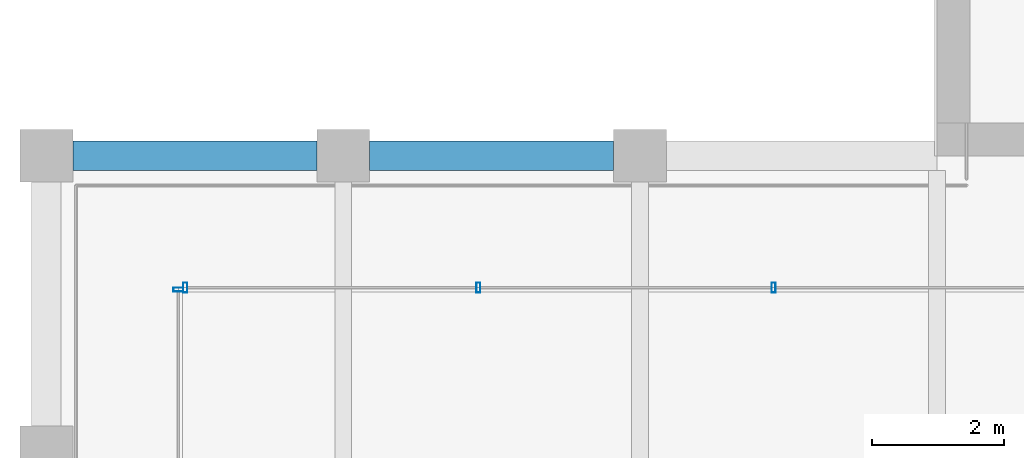
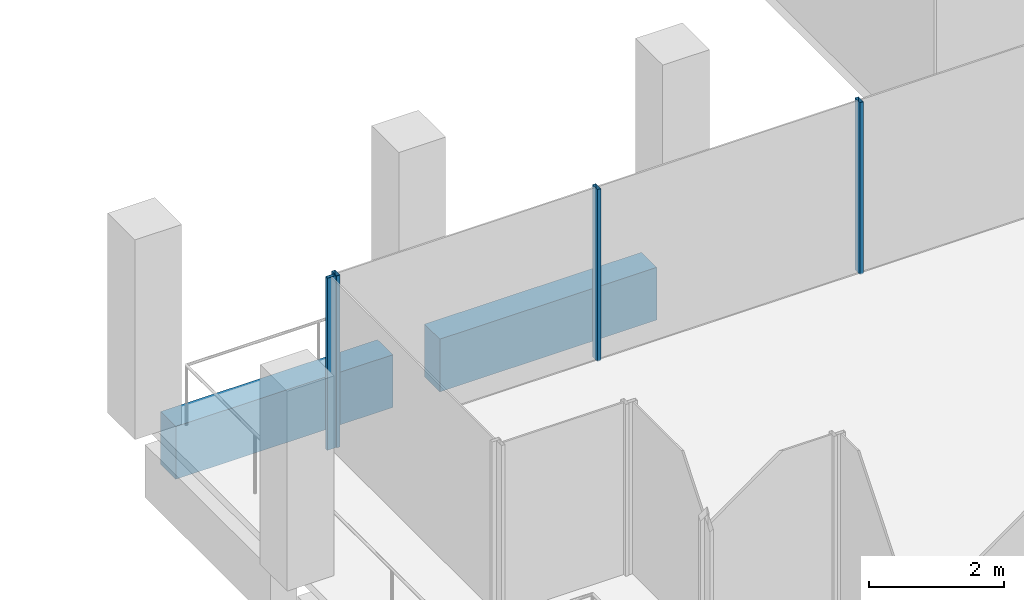
# One storey, part 5 of 30: 4 members, 2 beams, 2 elements without a shape of their own.
"""IFC4 building model written with IfcOpenShell, lengths in metres."""

import ifcopenshell
import ifcopenshell.guid

model = None  # the IFC model being written
_history = None  # IfcOwnerHistory: only IFC2X3 demands one
_inside = {}  # id of a spatial element -> (the spatial element, [elements in it])
_under = {}  # id of a project, library or spatial element -> (it, [spatial elements below it])
_declared = {}  # id of a project -> (the project, [libraries it declares])
_typed = {}  # id of a type object -> (the type object, [elements of that type])
_made_of = {}  # id of a material, layer set ... -> (it, [elements and type objects made of it])


def new_model(schema):
    """Start an empty IFC model of exactly this schema.

    Asked for "IFC4X3", IfcOpenShell would pick the latest addendum, in which some entities
    have other attributes; the version numbers below select the first issue.
    IFC2X3 requires an IfcOwnerHistory on every rooted entity: one is made here for all.
    """
    global model, _history
    if schema == "IFC4X3":
        model = ifcopenshell.file(schema_version=(4, 3, 0, 0))
    else:
        model = ifcopenshell.file(schema=schema)
    _inside.clear()
    _under.clear()
    _declared.clear()
    _typed.clear()
    _made_of.clear()
    _history = None
    if model.schema == "IFC2X3":
        org = make("IfcOrganization", Name="unknown")
        user = make(
            "IfcPersonAndOrganization",
            ThePerson=make("IfcPerson", FamilyName="unknown"),
            TheOrganization=org,
        )
        app = make(
            "IfcApplication",
            ApplicationDeveloper=org,
            Version="unknown",
            ApplicationFullName="unknown",
            ApplicationIdentifier="unknown",
        )
        _history = make(
            "IfcOwnerHistory",
            OwningUser=user,
            OwningApplication=app,
            ChangeAction="ADDED",
            CreationDate=0,
        )
    return model


def make(cls, **values):
    """One entity of the class cls with the attributes given. An attribute that is None is left unset."""
    return model.create_entity(
        cls, **{name: value for name, value in values.items() if value is not None}
    )


def rooted(cls, **values):
    """An entity with a GlobalId (a new one), such as an element, a storey or a relation."""
    return make(cls, GlobalId=ifcopenshell.guid.new(), OwnerHistory=_history, **values)


def si_unit(unit_type, name, prefix=None):
    """IfcSIUnit, for example si_unit("LENGTHUNIT", "METRE", prefix="MILLI")."""
    return make("IfcSIUnit", UnitType=unit_type, Prefix=prefix, Name=name)


def assignment(units):
    """IfcUnitAssignment: the units of a project."""
    return None if units is None else make("IfcUnitAssignment", Units=units)


def point(xyz):
    """IfcCartesianPoint."""
    return None if xyz is None else make("IfcCartesianPoint", Coordinates=xyz)


def direction(xyz):
    """IfcDirection."""
    return None if xyz is None else make("IfcDirection", DirectionRatios=xyz)


def frame(location, z_axis=None, x_axis=None):
    """IfcAxis2Placement3D, a coordinate frame: its origin and axes. An axis left out is left unset."""
    return make(
        "IfcAxis2Placement3D",
        Location=point(location),
        Axis=direction(z_axis),
        RefDirection=direction(x_axis),
    )


def frame_2d(location, x_axis=None):
    """IfcAxis2Placement2D, a coordinate frame in the plane: its origin and x axis."""
    return make(
        "IfcAxis2Placement2D", Location=point(location), RefDirection=direction(x_axis)
    )


def origin():
    """The frame at (0, 0, 0) with its axes left unset."""
    return frame((0.0, 0.0, 0.0))


def origin_2d():
    """The frame at (0, 0) in the plane with its x axis left unset."""
    return frame_2d((0.0, 0.0))


def place(relative_to, where):
    """IfcLocalPlacement: puts the frame where relative to a parent placement (None: the world)."""
    return make(
        "IfcLocalPlacement", PlacementRelTo=relative_to, RelativePlacement=where
    )


def context(
    kind, dimensions, precision=None, world=None, true_north=None, identifier=None
):
    """IfcGeometricRepresentationContext, for example the 3D "Model" context."""
    return make(
        "IfcGeometricRepresentationContext",
        ContextIdentifier=identifier,
        ContextType=kind,
        CoordinateSpaceDimension=dimensions,
        Precision=precision,
        WorldCoordinateSystem=world,
        TrueNorth=true_north,
    )


def subcontext(parent, identifier, kind, view, scale=None):
    """IfcGeometricRepresentationSubContext, for example "Body" below "Model"."""
    return make(
        "IfcGeometricRepresentationSubContext",
        ContextIdentifier=identifier,
        ContextType=kind,
        ParentContext=parent,
        TargetScale=scale,
        TargetView=view,
    )


def project(units=None, contexts=None):
    """IfcProject with its units and contexts."""
    return rooted(
        "IfcProject",
        Name="project",
        RepresentationContexts=contexts,
        UnitsInContext=assignment(units),
    )


def spatial(cls, under=None, at=None, **own):
    """A site, building, storey or space (cls), placed at a placement, below another one or the project."""
    s = rooted(cls, ObjectPlacement=at, **own)
    if under is not None:
        _under.setdefault(under.id(), (under, []))[1].append(s)
    return s


def profile(cls, at=None, kind="AREA", **sizes):
    """A parametric profile (cls). Its sizes go by their IFC names, for example OverallWidth=200.0."""
    return make(cls, ProfileType=kind, Position=at, **sizes)


def rectangle(**sizes):
    """IfcRectangleProfileDef."""
    return profile("IfcRectangleProfileDef", **sizes)


def hollow_rectangle(**sizes):
    """IfcRectangleHollowProfileDef."""
    return profile("IfcRectangleHollowProfileDef", **sizes)


def extrude(swept, where, along, depth):
    """IfcExtrudedAreaSolid: the profile swept, set in the frame where, extruded along a direction by depth."""
    return make(
        "IfcExtrudedAreaSolid",
        SweptArea=swept,
        Position=where,
        ExtrudedDirection=direction(along),
        Depth=depth,
    )


def shape(context_of_items, identifier, shape_type, items):
    """IfcShapeRepresentation: the items that make up one representation, for example the "Body"."""
    return make(
        "IfcShapeRepresentation",
        ContextOfItems=context_of_items,
        RepresentationIdentifier=identifier,
        RepresentationType=shape_type,
        Items=items,
    )


def material(Name=None, Category=None):
    """IfcMaterial."""
    return make("IfcMaterial", Name=Name, Category=Category)


def material_profile(
    of_material, cross_section, Name=None, Category=None, Priority=None
):
    """IfcMaterialProfile: a cross section and its material."""
    return make(
        "IfcMaterialProfile",
        Name=Name,
        Material=of_material,
        Profile=cross_section,
        Priority=Priority,
        Category=Category,
    )


def profile_set(profiles, Name=None, composite=None):
    """IfcMaterialProfileSet."""
    return make(
        "IfcMaterialProfileSet",
        Name=Name,
        MaterialProfiles=profiles,
        CompositeProfile=composite,
    )


def made_of(thing, what):
    """Note that an element or type object is made of a material, layer set ...; save() writes the relation."""
    if what is not None:
        _made_of.setdefault(what.id(), (what, []))[1].append(thing)
    return thing


def type_object(cls, material=None, **own):
    """A type object (cls), such as IfcWallType, which elements share."""
    return made_of(rooted(cls, **own), material)


def element(
    cls,
    number,
    at=None,
    inside=None,
    cuts=None,
    type_object=None,
    material=None,
    context=None,
    identifier="Body",
    shape_type=None,
    held_by="IfcProductDefinitionShape",
    body=None,
    shapes=None,
    **own,
):
    """One element of the class cls, such as IfcWall. Its Tag is "e" and its number.

    at: its placement. inside: the storey or other place that contains it. cuts: it is an
    opening in that element (IfcRelVoidsElement). A single representation is given by context,
    identifier, shape_type and body (its items); several are given by shapes. held_by: the class
    of the entity that holds the representations. save() writes the other relations.
    """
    e = rooted(cls, Tag="e%d" % number, ObjectPlacement=at, **own)
    if body is not None:
        shapes = [shape(context, identifier, shape_type, body)]
    if shapes is not None:
        e.Representation = make(held_by, Representations=shapes)
    if inside is not None:
        _inside.setdefault(inside.id(), (inside, []))[1].append(e)
    if cuts is not None:
        rooted(
            "IfcRelVoidsElement", RelatingBuildingElement=cuts, RelatedOpeningElement=e
        )
    if type_object is not None:
        _typed.setdefault(type_object.id(), (type_object, []))[1].append(e)
    return made_of(e, material)


def aggregate(whole, parts):
    """IfcRelAggregates: a whole, such as a stair, and the parts it consists of."""
    return rooted("IfcRelAggregates", RelatingObject=whole, RelatedObjects=parts)


def save(model, path):
    """Write the relations noted so far, then the file.

    IfcRelAggregates (storeys below a building ...), IfcRelContainedInSpatialStructure (elements
    in a storey), IfcRelDefinesByType, IfcRelAssociatesMaterial and IfcRelDeclares: one each for
    every whole, place, type object, material and project.
    """
    for whole, parts in _under.values():
        aggregate(whole, parts)
    for where, things in _inside.values():
        rooted(
            "IfcRelContainedInSpatialStructure",
            RelatedElements=things,
            RelatingStructure=where,
        )
    for kind, things in _typed.values():
        rooted("IfcRelDefinesByType", RelatedObjects=things, RelatingType=kind)
    for what, things in _made_of.values():
        rooted("IfcRelAssociatesMaterial", RelatedObjects=things, RelatingMaterial=what)
    for by, libraries in _declared.values():
        rooted("IfcRelDeclares", RelatingContext=by, RelatedDefinitions=libraries)
    model.write(path)


model = new_model("IFC4")

# Units and contexts
model_context = context("Model", 3, precision=1e-05, world=origin(), true_north=direction((0.0, 1.0)))
body_context = subcontext(model_context, "Body", "Model", "MODEL_VIEW")
ifc_project = project(units=[si_unit("LENGTHUNIT", "METRE"), si_unit("AREAUNIT", "SQUARE_METRE"), si_unit("VOLUMEUNIT", "CUBIC_METRE"), si_unit("PLANEANGLEUNIT", "RADIAN"), si_unit("MASSUNIT", "GRAM", prefix="KILO")], contexts=[model_context])

# Site, building, storey
site_placement = place(None, origin())
site = spatial("IfcSite", under=ifc_project, at=site_placement, CompositionType="ELEMENT")
building_placement = place(site_placement, origin())
building = spatial("IfcBuilding", under=site, at=building_placement, Name="Altepetl Exchange Towers", CompositionType="ELEMENT")
storey_placement = place(building_placement, frame((0.0, 0.0, 238.800048828125)))
storey = spatial("IfcBuildingStorey", under=building, at=storey_placement, Name="L61", CompositionType="ELEMENT", Elevation=238.800048828125)

# Curtain wall, members
ifc_material_1 = material(Name="Aluminium 6063-T6 glazing", Category="aluminium")
curtain_wall_type = type_object("IfcCurtainWallType", Name="Loggia glazing system", PredefinedType="NOTDEFINED", material=ifc_material_1)
curtain_wall_1_placement = place(storey_placement, origin())
curtain_wall_1 = element("IfcCurtainWall", 1, at=curtain_wall_1_placement, inside=storey, type_object=curtain_wall_type, Name="CW1 run", PredefinedType="NOTDEFINED")
ifc_material_2 = material(Name="Aluminium 6063-T6", Category="aluminium")
ifc_material_profile_1 = material_profile(ifc_material_2, hollow_rectangle(XDim=0.06005859375, YDim=0.14990234375, WallThickness=0.0029296875, at=origin_2d()), Name="Mullion 60x150 aluminium")
ifc_profile_set_1 = profile_set([ifc_material_profile_1], Name="Aluminium 6063-T6")
member_type = type_object("IfcMemberType", Name="Mullion 60x150 aluminium", PredefinedType="MULLION", material=ifc_profile_set_1)
member_1_placement = place(storey_placement, frame((38.02490234375, 38.5, 0.0), z_axis=(0.0, 0.0, 1.0), x_axis=(-1.0, 0.0, 0.0)))
member_1 = element("IfcMember", 2, at=member_1_placement, type_object=member_type, Name="MU1 mullion", PredefinedType="MULLION", context=body_context, shape_type="SweptSolid", body=[
    extrude(hollow_rectangle(XDim=0.06005859375, YDim=0.14990234375, WallThickness=0.0029296875, at=origin_2d()), origin(), (0.0, 0.0, 1.0), 3.099853515625),
])
member_2_placement = place(storey_placement, frame((33.550048828125, 38.5, 0.0), z_axis=(0.0, 0.0, 1.0), x_axis=(-1.0, 0.0, 0.0)))
member_2 = element("IfcMember", 3, at=member_2_placement, type_object=member_type, Name="MU1 mullion", PredefinedType="MULLION", context=body_context, shape_type="SweptSolid", body=[
    extrude(hollow_rectangle(XDim=0.06005859375, YDim=0.14990234375, WallThickness=0.0029296875, at=origin_2d()), origin(), (0.0, 0.0, 1.0), 3.099853515625),
])
member_3_placement = place(storey_placement, frame((29.10498046875, 38.5, 0.0), z_axis=(0.0, 0.0, 1.0), x_axis=(-1.0, 0.0, 0.0)))
member_3 = element("IfcMember", 4, at=member_3_placement, type_object=member_type, Name="MU1 mullion", PredefinedType="MULLION", context=body_context, shape_type="SweptSolid", body=[
    extrude(hollow_rectangle(XDim=0.06005859375, YDim=0.14990234375, WallThickness=0.0029296875, at=origin_2d()), origin(), (0.0, 0.0, 1.0), 3.099853515625),
])
aggregate(curtain_wall_1, [member_1, member_2, member_3])

# Curtain wall, member
curtain_wall_2_placement = place(storey_placement, origin())
curtain_wall_2 = element("IfcCurtainWall", 5, at=curtain_wall_2_placement, inside=storey, type_object=curtain_wall_type, Name="CW1 run", PredefinedType="NOTDEFINED")
member_4_placement = place(storey_placement, frame((29.0, 38.469970703125, 0.0), z_axis=(0.0, 0.0, 1.0), x_axis=(0.0, -1.0, 0.0)))
member_4 = element("IfcMember", 6, at=member_4_placement, type_object=member_type, Name="MU1 mullion", PredefinedType="MULLION", context=body_context, shape_type="SweptSolid", body=[
    extrude(hollow_rectangle(XDim=0.06005859375, YDim=0.14990234375, WallThickness=0.0029296875, at=origin_2d()), origin(), (0.0, 0.0, 1.0), 3.099853515625),
])
aggregate(curtain_wall_2, [member_4])

# Beams
ifc_material_3 = material(Name="Concrete C50/60 precast with tezontle facing", Category="concrete")
ifc_material_profile_2 = material_profile(ifc_material_3, rectangle(XDim=0.449951171875, YDim=0.949951171875, at=origin_2d()), Name="450 x 950")
ifc_profile_set_2 = profile_set([ifc_material_profile_2], Name="Concrete C50/60 precast with tezontle facing")
beam_type = type_object("IfcBeamType", Name="Spandrel beam 450x950 tezontle", PredefinedType="SPANDREL", material=ifc_profile_set_2)
for number, where, z_axis, x_axis, name in (
    (7, (35.60009765625, 40.5, -0.625), (-1.0, 0.0, 0.0), (0.0, -1.0, 0.0), "sp:A:L61:034"),
    (8, (31.10009765625, 40.5, -0.625), (-1.0, 0.0, 0.0), (0.0, -1.0, 0.0), "sp:A:L61:035"),
):
    element("IfcBeam", number, at=place(storey_placement, frame(where, z_axis=z_axis, x_axis=x_axis)), inside=storey, type_object=beam_type, Name=name, PredefinedType="SPANDREL", context=body_context, shape_type="SweptSolid", body=[
        extrude(rectangle(XDim=0.449951171875, YDim=0.949951171875, at=origin_2d()), origin(), (0.0, 0.0, 1.0), 3.7001953125),
    ])

save(model, "model.ifc")
